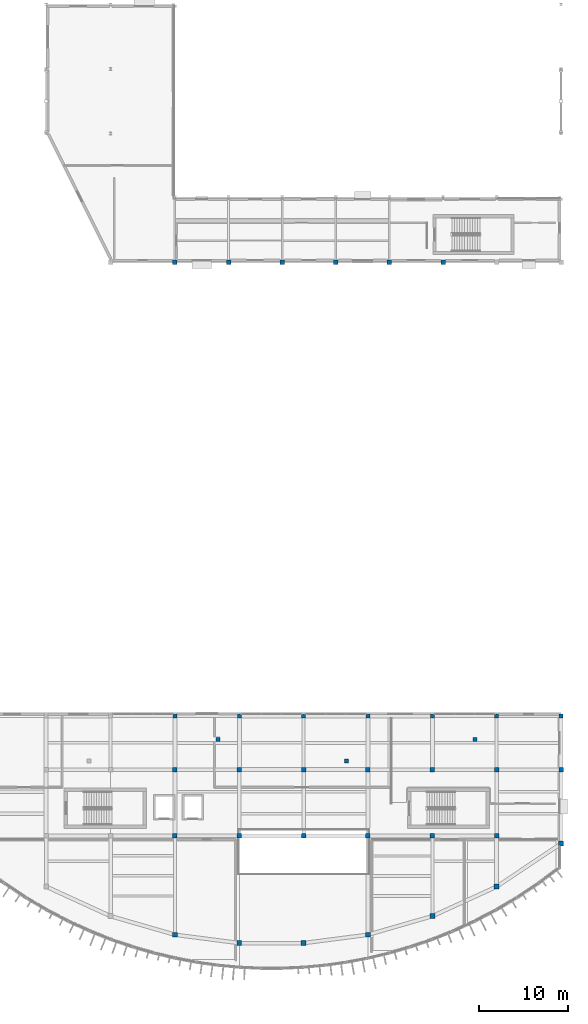
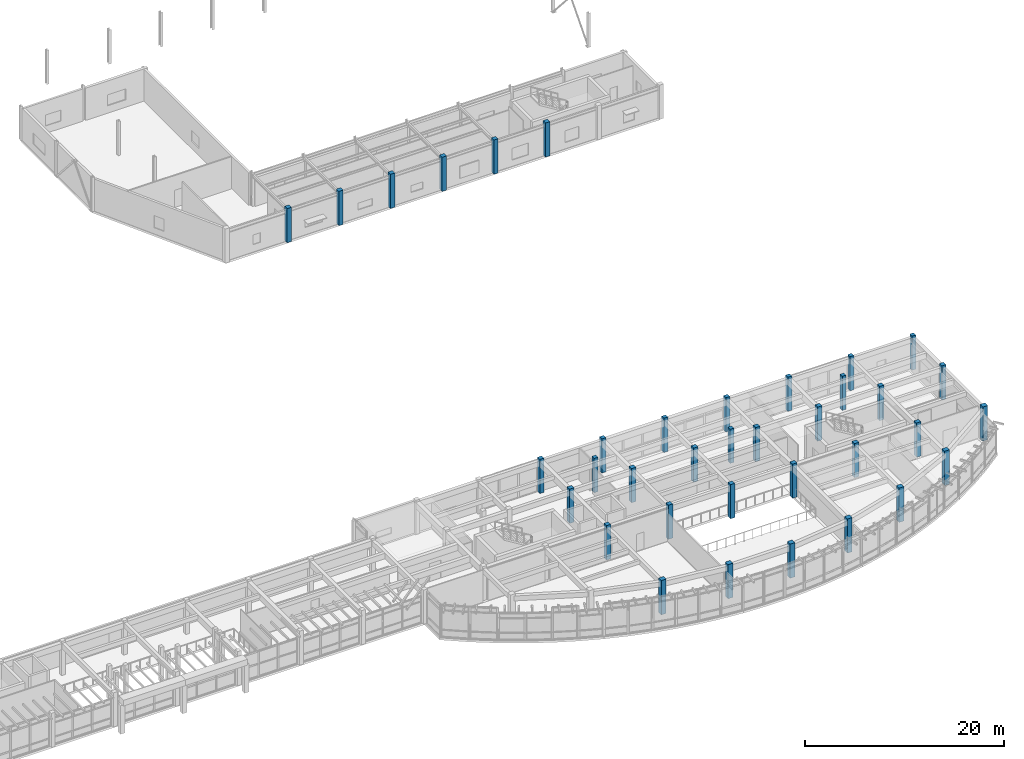
# One storey, part 4 of 60: 36 columns.
"""IFC4 building model written with IfcOpenShell, lengths in metres."""

from ifc_helpers import new_model, si_unit, direction, frame, origin, origin_2d, place, context, subcontext, project, spatial, rectangle, extrude, material, material_profile, profile_set, type_object, element, save


model = new_model("IFC4")

# Units and contexts
model_context = context("Model", 3, precision=1e-05, world=origin(), true_north=direction((0.0, 1.0)))
body_context = subcontext(model_context, "Body", "Model", "MODEL_VIEW")
ifc_project = project(units=[si_unit("LENGTHUNIT", "METRE"), si_unit("AREAUNIT", "SQUARE_METRE"), si_unit("VOLUMEUNIT", "CUBIC_METRE"), si_unit("PLANEANGLEUNIT", "RADIAN"), si_unit("MASSUNIT", "GRAM", prefix="KILO")], contexts=[model_context])

# Site, building, storey
site_placement = place(None, origin())
site = spatial("IfcSite", under=ifc_project, at=site_placement, CompositionType="ELEMENT")
building_placement = place(site_placement, origin())
building = spatial("IfcBuilding", under=site, at=building_placement, Name="Brisavento Harbour Community Centre", CompositionType="ELEMENT")
storey_placement = place(building_placement, frame((0.0, 0.0, 4.5)))
storey = spatial("IfcBuildingStorey", under=building, at=storey_placement, Name="L01", CompositionType="ELEMENT", Elevation=4.5)

# Columns
ifc_material = material(Name="Concrete C35/45", Category="concrete")
ifc_material_profile_1 = material_profile(ifc_material, rectangle(XDim=0.449951171875, YDim=0.449951171875, at=origin_2d()), Name="Concrete C35/45")
ifc_profile_set_1 = profile_set([ifc_material_profile_1], Name="Concrete C35/45")
column_type_1 = type_object("IfcColumnType", Name="COL-RC-450", PredefinedType="COLUMN", material=ifc_profile_set_1)
for number, where, z_axis, x_axis, name in (
    (1, (129.60009765625, 28.39990234375, 0.0), (0.0, 0.0, 1.0), (1.0, 0.0, 0.0), "L01 column V3N2-129"),
    (2, (136.800048828125, 28.39990234375, 0.0), (0.0, 0.0, 1.0), (1.0, 0.0, 0.0), "L01 column V3N2-136"),
    (3, (144.0, 28.39990234375, 0.0), (0.0, 0.0, 1.0), (1.0, 0.0, 0.0), "L01 column V3N2-144"),
    (4, (151.199951171875, 28.39990234375, 0.0), (0.0, 0.0, 1.0), (1.0, 0.0, 0.0), "L01 column V3N2-151"),
    (5, (158.39990234375, 28.39990234375, 0.0), (0.0, 0.0, 1.0), (1.0, 0.0, 0.0), "L01 column V3N2-158"),
    (6, (165.60009765625, 28.39990234375, 0.0), (0.0, 0.0, 1.0), (1.0, 0.0, 0.0), "L01 column V3N2-165"),
    (7, (172.800048828125, 28.39990234375, 0.0), (0.0, 0.0, 1.0), (1.0, 0.0, 0.0), "L01 column V3N2-172"),
    (8, (134.39990234375, 25.800048828125, 0.0), (0.0, 0.0, 1.0), (1.0, 0.0, 0.0), "L01 column V3TER-134"),
    (9, (148.800048828125, 23.39990234375, 0.0), (0.0, 0.0, 1.0), (1.0, 0.0, 0.0), "L01 column V3TER-148"),
    (10, (163.199951171875, 25.800048828125, 0.0), (0.0, 0.0, 1.0), (1.0, 0.0, 0.0), "L01 column V3TER-163"),
):
    element("IfcColumn", number, at=place(storey_placement, frame(where, z_axis=z_axis, x_axis=x_axis)), inside=storey, type_object=column_type_1, Name=name, PredefinedType="COLUMN", context=body_context, shape_type="SweptSolid", body=[
        extrude(rectangle(XDim=0.449951171875, YDim=0.449951171875, at=origin_2d()), origin(), (0.0, 0.0, 1.0), 4.199951171875),
    ])
ifc_material_profile_2 = material_profile(ifc_material, rectangle(XDim=0.5, YDim=0.5, at=origin_2d()), Name="Concrete C35/45")
ifc_profile_set_2 = profile_set([ifc_material_profile_2], Name="Concrete C35/45")
column_type_2 = type_object("IfcColumnType", Name="COL-RC-500", PredefinedType="COLUMN", material=ifc_profile_set_2)
for number, where, z_axis, x_axis, name in (
    (11, (129.60009765625, 15.0, 0.0), (0.0, 0.0, 1.0), (1.0, 0.0, 0.0), "L01 column V3M-129"),
    (12, (129.60009765625, 22.39990234375, 0.0), (0.0, 0.0, 1.0), (1.0, 0.0, 0.0), "L01 column V3N1-129"),
    (13, (136.800048828125, 15.0, 0.0), (0.0, 0.0, 1.0), (1.0, 0.0, 0.0), "L01 column V3M-136"),
    (14, (136.800048828125, 22.39990234375, 0.0), (0.0, 0.0, 1.0), (1.0, 0.0, 0.0), "L01 column V3N1-136"),
    (15, (144.0, 15.0, 0.0), (0.0, 0.0, 1.0), (1.0, 0.0, 0.0), "L01 column V3M-144"),
    (16, (144.0, 22.39990234375, 0.0), (0.0, 0.0, 1.0), (1.0, 0.0, 0.0), "L01 column V3N1-144"),
    (17, (151.199951171875, 15.0, 0.0), (0.0, 0.0, 1.0), (1.0, 0.0, 0.0), "L01 column V3M-151"),
    (18, (151.199951171875, 22.39990234375, 0.0), (0.0, 0.0, 1.0), (1.0, 0.0, 0.0), "L01 column V3N1-151"),
    (19, (158.39990234375, 15.0, 0.0), (0.0, 0.0, 1.0), (1.0, 0.0, 0.0), "L01 column V3M-158"),
    (20, (158.39990234375, 22.39990234375, 0.0), (0.0, 0.0, 1.0), (1.0, 0.0, 0.0), "L01 column V3N1-158"),
    (21, (165.60009765625, 15.0, 0.0), (0.0, 0.0, 1.0), (1.0, 0.0, 0.0), "L01 column V3M-165"),
    (22, (165.60009765625, 22.39990234375, 0.0), (0.0, 0.0, 1.0), (1.0, 0.0, 0.0), "L01 column V3N1-165"),
    (23, (172.800048828125, 22.39990234375, 0.0), (0.0, 0.0, 1.0), (1.0, 0.0, 0.0), "L01 column V3N1-172"),
    (24, (129.60009765625, 79.199951171875, 0.0), (0.0, 0.0, 1.0), (1.0, 0.0, 0.0), "L01 column V4SB-1"),
    (25, (135.60009765625, 79.199951171875, 0.0), (0.0, 0.0, 1.0), (1.0, 0.0, 0.0), "L01 column V4SB-2"),
    (26, (141.60009765625, 79.199951171875, 0.0), (0.0, 0.0, 1.0), (1.0, 0.0, 0.0), "L01 column V4SB-3"),
    (27, (147.60009765625, 79.199951171875, 0.0), (0.0, 0.0, 1.0), (1.0, 0.0, 0.0), "L01 column V4SB-4"),
    (28, (153.60009765625, 79.199951171875, 0.0), (0.0, 0.0, 1.0), (1.0, 0.0, 0.0), "L01 column V4SB-5"),
    (29, (159.60009765625, 79.199951171875, 0.0), (0.0, 0.0, 1.0), (1.0, 0.0, 0.0), "L01 column V4SB-6"),
):
    element("IfcColumn", number, at=place(storey_placement, frame(where, z_axis=z_axis, x_axis=x_axis)), inside=storey, type_object=column_type_2, Name=name, PredefinedType="COLUMN", context=body_context, shape_type="SweptSolid", body=[
        extrude(rectangle(XDim=0.5, YDim=0.5, at=origin_2d()), origin(), (0.0, 0.0, 1.0), 4.199951171875),
    ])
ifc_material_profile_3 = material_profile(ifc_material, rectangle(XDim=0.550048828125, YDim=0.550048828125, at=origin_2d()), Name="Concrete C35/45")
ifc_profile_set_3 = profile_set([ifc_material_profile_3], Name="Concrete C35/45")
column_type_3 = type_object("IfcColumnType", Name="COL-RC-550", PredefinedType="COLUMN", material=ifc_profile_set_3)
for number, where, z_axis, x_axis, name in (
    (30, (129.60009765625, 3.93408203125, 0.0), (0.0, 0.0, 1.0), (1.0, 0.0, 0.0), "L01 column V3S-129"),
    (31, (136.800048828125, 3.0, 0.0), (0.0, 0.0, 1.0), (1.0, 0.0, 0.0), "L01 column V3S-136"),
    (32, (144.0, 3.0, 0.0), (0.0, 0.0, 1.0), (1.0, 0.0, 0.0), "L01 column V3S-144"),
    (33, (151.199951171875, 3.93408203125, 0.0), (0.0, 0.0, 1.0), (1.0, 0.0, 0.0), "L01 column V3S-151"),
    (34, (158.39990234375, 6.014892578125, 0.0), (0.0, 0.0, 1.0), (1.0, 0.0, 0.0), "L01 column V3S-158"),
    (35, (165.60009765625, 9.31396484375, 0.0), (0.0, 0.0, 1.0), (1.0, 0.0, 0.0), "L01 column V3S-165"),
    (36, (172.800048828125, 14.1279296875, 0.0), (0.0, 0.0, 1.0), (1.0, 0.0, 0.0), "L01 column V3S-172"),
):
    element("IfcColumn", number, at=place(storey_placement, frame(where, z_axis=z_axis, x_axis=x_axis)), inside=storey, type_object=column_type_3, Name=name, PredefinedType="COLUMN", context=body_context, shape_type="SweptSolid", body=[
        extrude(rectangle(XDim=0.550048828125, YDim=0.550048828125, at=origin_2d()), origin(), (0.0, 0.0, 1.0), 4.199951171875),
    ])

save(model, "model.ifc")
